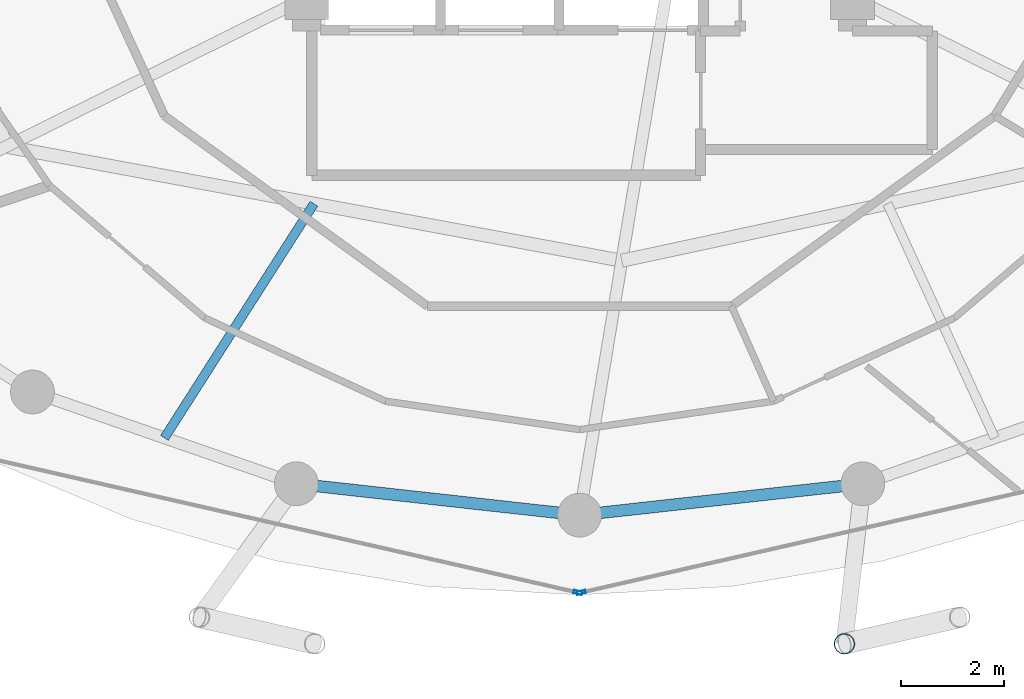
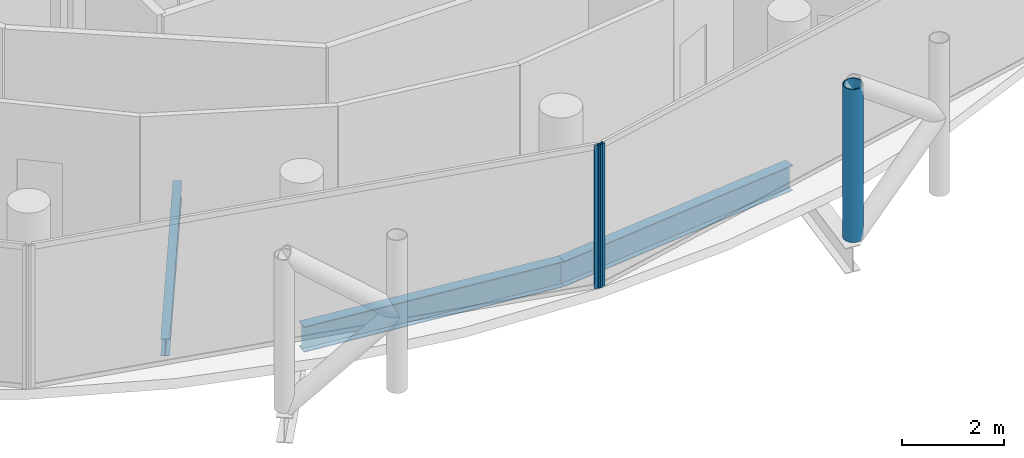
# One storey, part 5 of 27: 3 beams, 3 members, 2 elements without a shape of their own.
"""IFC4 building model written with IfcOpenShell, lengths in metres."""

from ifc_helpers import new_model, si_unit, direction, frame, origin, origin_2d, place, context, subcontext, project, spatial, hollow_rectangle, hollow_circle, i_section, extrude, material, layer, layer_set, material_profile, profile_set, type_object, element, aggregate, save


model = new_model("IFC4")

# Units and contexts
model_context = context("Model", 3, precision=1e-05, world=origin(), true_north=direction((0.0, 1.0)))
body_context = subcontext(model_context, "Body", "Model", "MODEL_VIEW")
ifc_project = project(units=[si_unit("LENGTHUNIT", "METRE"), si_unit("AREAUNIT", "SQUARE_METRE"), si_unit("VOLUMEUNIT", "CUBIC_METRE"), si_unit("PLANEANGLEUNIT", "RADIAN"), si_unit("MASSUNIT", "GRAM", prefix="KILO")], contexts=[model_context])

# Site, building, storey
site_placement = place(None, origin())
site = spatial("IfcSite", under=ifc_project, at=site_placement, CompositionType="ELEMENT")
building_placement = place(site_placement, origin())
building = spatial("IfcBuilding", under=site, at=building_placement, Name="Nuhasar Tower", CompositionType="ELEMENT")
storey_placement = place(building_placement, frame((0.0, 0.0, 230.050048828125)))
storey = spatial("IfcBuildingStorey", under=building, at=storey_placement, Name="L56", CompositionType="ELEMENT", Elevation=230.050048828125)

# Beams
ifc_material_1 = material(Name="Steel S355", Category="steel")
ifc_material_profile_1 = material_profile(ifc_material_1, i_section(OverallWidth=0.177978515625, OverallDepth=0.406005859375, WebThickness=0.0078125, FlangeThickness=0.0126953125, at=origin_2d()), Name="W16X40")
ifc_profile_set_1 = profile_set([ifc_material_profile_1], Name="Steel S355")
beam_type_1 = type_object("IfcBeamType", Name="BM-JST-W16X40", PredefinedType="JOIST", material=ifc_profile_set_1)
beam_placement = place(storey_placement, frame((33.842041015625, 14.998046875, -0.443115234375), z_axis=(-0.538168818546, -0.842837067733, 0.0), x_axis=(0.842837067733, -0.538168818546, 0.0)))
element("IfcBeam", 1, at=beam_placement, inside=storey, type_object=beam_type_1, Name="L56 Secondary Floor Joist 01", PredefinedType="JOIST", context=body_context, shape_type="SweptSolid", body=[
    extrude(i_section(OverallWidth=0.177978515625, OverallDepth=0.406005859375, WebThickness=0.0078125, FlangeThickness=0.0126953125, at=origin_2d()), origin(), (0.0, 0.0, 1.0), 5.396240234375),
])
ifc_material_profile_2 = material_profile(ifc_material_1, i_section(OverallWidth=0.22802734375, OverallDepth=0.60791015625, WebThickness=0.01123046875, FlangeThickness=0.017333984375, at=origin_2d()), Name="W24X76")
ifc_profile_set_2 = profile_set([ifc_material_profile_2], Name="Steel S355")
beam_type_2 = type_object("IfcBeamType", Name="BM-RING-W24X76", PredefinedType="SPANDREL", material=ifc_profile_set_2)
for number, where, z_axis, x_axis, name in (
    (2, (33.5, 9.55810546875, -0.5439453125), (0.993942242238, -0.109903680993, 0.0), (0.109903680993, 0.993942242238, 0.0), "L56 Perimeter Ring Spandrel 18"),
    (3, (39.0, 8.949951171875, -0.5439453125), (0.993942242238, 0.109903680993, 0.0), (-0.109903680993, 0.993942242238, 0.0), "L56 Perimeter Ring Spandrel 19"),
):
    element("IfcBeam", number, at=place(storey_placement, frame(where, z_axis=z_axis, x_axis=x_axis)), inside=storey, type_object=beam_type_2, Name=name, PredefinedType="SPANDREL", context=body_context, shape_type="SweptSolid", body=[
        extrude(i_section(OverallWidth=0.22802734375, OverallDepth=0.60791015625, WebThickness=0.01123046875, FlangeThickness=0.017333984375, at=origin_2d()), origin(), (0.0, 0.0, 1.0), 5.533447265625),
    ])

# Curtain wall, member
ifc_material_2 = material(Name="Aluminium 6063-T6", Category="aluminium")
ifc_layer = layer(ifc_material_2, 0.18994140625)
ifc_layer_set = layer_set([ifc_layer], Name="Aluminium 6063-T6")
curtain_wall_type = type_object("IfcCurtainWallType", Name="CW-Z3-RES", PredefinedType="NOTDEFINED", material=ifc_layer_set)
curtain_wall_1_placement = place(storey_placement, origin())
curtain_wall_1 = element("IfcCurtainWall", 4, at=curtain_wall_1_placement, inside=storey, type_object=curtain_wall_type, Name="L56 Unitised Curtain Wall 09", PredefinedType="NOTDEFINED")
ifc_material_profile_3 = material_profile(ifc_material_2, hollow_rectangle(XDim=0.06494140625, YDim=0.169921875, WallThickness=0.0048828125, at=origin_2d()), Name="CWM-4")
ifc_profile_set_3 = profile_set([ifc_material_profile_3], Name="Aluminium 6063-T6")
member_type_1 = type_object("IfcMemberType", Name="CW-MUL-S4", PredefinedType="MULLION", material=ifc_profile_set_3)
member_1_placement = place(storey_placement, frame((38.96826171875, 7.447265625, 0.0), z_axis=(0.0, 0.0, 1.0), x_axis=(0.222243176313, 0.974991266926, 0.0)))
member_1 = element("IfcMember", 5, at=member_1_placement, type_object=member_type_1, Name="CW-Z3 mullion 2", PredefinedType="MULLION", context=body_context, shape_type="SweptSolid", body=[
    extrude(hollow_rectangle(XDim=0.06494140625, YDim=0.169921875, WallThickness=0.0048828125, at=origin_2d()), origin(), (0.0, 0.0, 1.0), 3.409912109375),
])
aggregate(curtain_wall_1, [member_1])

curtain_wall_2_placement = place(storey_placement, origin())
curtain_wall_2 = element("IfcCurtainWall", 6, at=curtain_wall_2_placement, inside=storey, type_object=curtain_wall_type, Name="L56 Unitised Curtain Wall 10", PredefinedType="NOTDEFINED")
member_2_placement = place(storey_placement, frame((39.03173828125, 7.447265625, 0.0), z_axis=(0.0, 0.0, 1.0), x_axis=(-0.222243176313, 0.974991266926, 0.0)))
member_2 = element("IfcMember", 7, at=member_2_placement, type_object=member_type_1, Name="CW-Z3 mullion 1", PredefinedType="MULLION", context=body_context, shape_type="SweptSolid", body=[
    extrude(hollow_rectangle(XDim=0.06494140625, YDim=0.169921875, WallThickness=0.0048828125, at=origin_2d()), origin(), (0.0, 0.0, 1.0), 3.409912109375),
])
aggregate(curtain_wall_2, [member_2])

# Member
ifc_material_3 = material(Name="Steel S460", Category="steel")
ifc_material_profile_4 = material_profile(ifc_material_3, hollow_circle(Radius=0.203125, WallThickness=0.01904296875, at=origin_2d()), Name="HSS406.4X19.1")
ifc_profile_set_4 = profile_set([ifc_material_profile_4], Name="Steel S460")
member_type_2 = type_object("IfcMemberType", Name="EXO-BRONZE-406", PredefinedType="BRACE", material=ifc_profile_set_4)
member_3_placement = place(storey_placement, frame((44.14306640625, 6.450927734375, 0.0), z_axis=(0.0, 0.0, 1.0), x_axis=(1.0, 0.0, 0.0)))
element("IfcMember", 8, at=member_3_placement, inside=storey, type_object=member_type_2, Name="L56 Exoskeleton Chord Column EC-10A", PredefinedType="BRACE", context=body_context, shape_type="SweptSolid", body=[
    extrude(hollow_circle(Radius=0.203125, WallThickness=0.01904296875, at=origin_2d()), origin(), (0.0, 0.0, 1.0), 3.64990234375),
])

save(model, "model.ifc")
